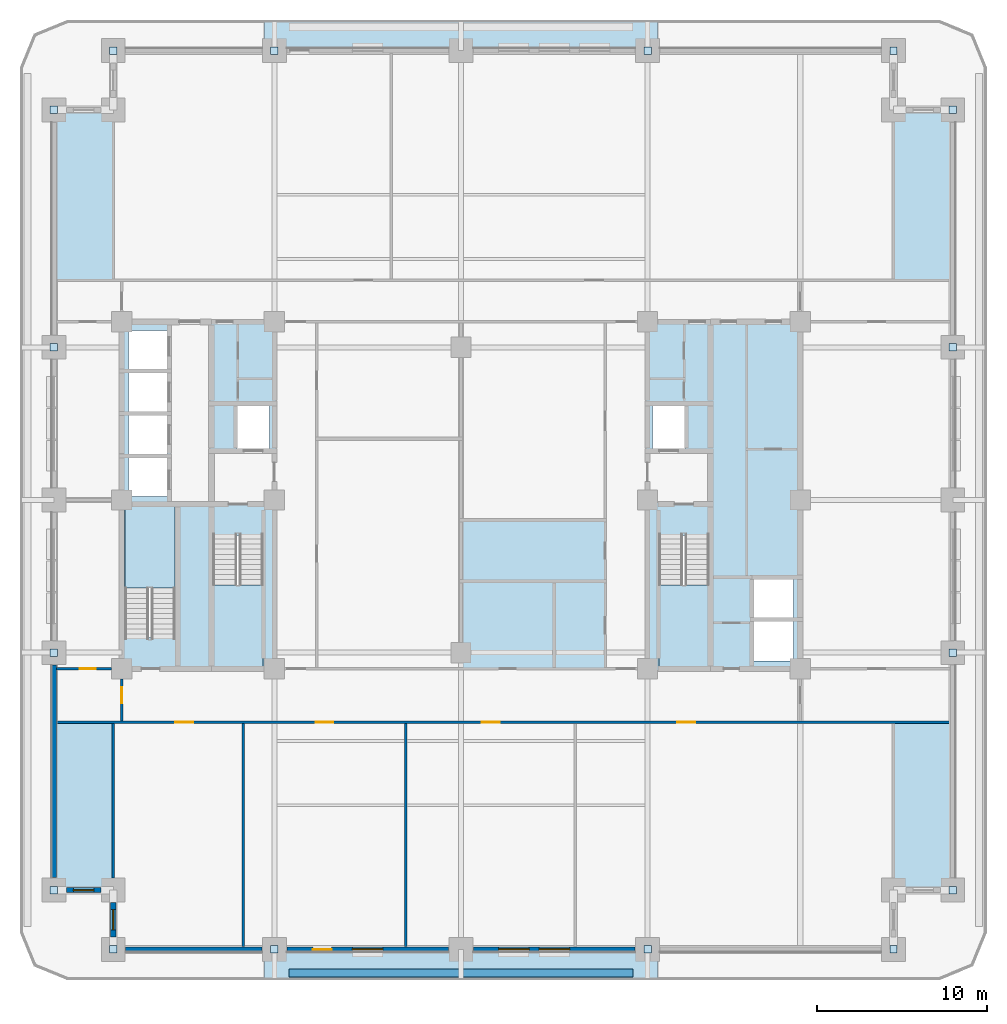
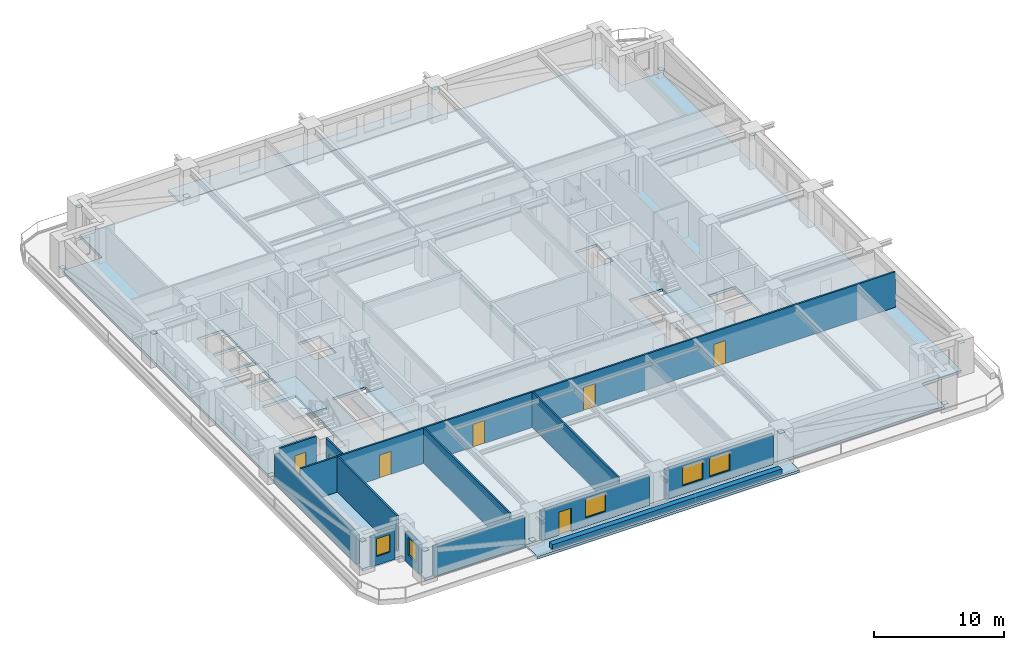
# One storey, part 2 of 14: 16 plates, 13 walls, 7 doors, 6 slabs, 5 windows, 12 openings, 3 elements without a shape of their own.
"""IFC4 building model written with IfcOpenShell, lengths in metres."""

from ifc_helpers import new_model, si_unit, direction, frame, frame_2d, origin, origin_2d, place, context, subcontext, project, spatial, polyline, rectangle, outline, extrude, material, layer, layer_set, type_object, element, fill, aggregate, save


model = new_model("IFC4")

# Units and contexts
model_context = context("Model", 3, precision=1e-05, world=origin(), true_north=direction((0.0, 1.0)))
body_context = subcontext(model_context, "Body", "Model", "MODEL_VIEW")
ifc_project = project(units=[si_unit("LENGTHUNIT", "METRE"), si_unit("AREAUNIT", "SQUARE_METRE"), si_unit("VOLUMEUNIT", "CUBIC_METRE"), si_unit("PLANEANGLEUNIT", "RADIAN"), si_unit("MASSUNIT", "GRAM", prefix="KILO")], contexts=[model_context])

# Site, building, storey
site_placement = place(None, origin())
site = spatial("IfcSite", under=ifc_project, at=site_placement, CompositionType="ELEMENT")
building_placement = place(site_placement, origin())
building = spatial("IfcBuilding", under=site, at=building_placement, Name="Zulmaris Gate Convention Tower", CompositionType="ELEMENT")
storey_placement = place(building_placement, frame((0.0, 0.0, 41.47998046875)))
storey = spatial("IfcBuildingStorey", under=building, at=storey_placement, Name="L09", CompositionType="ELEMENT", Elevation=41.47998046875)

# Plates
ifc_material_1 = material(Name="Steel S460", Category="steel")
ifc_layer_1 = layer(ifc_material_1, 0.02490234375, Name="Steel S460")
ifc_layer_set_1 = layer_set([ifc_layer_1], Name="Steel S460")
plate_type = type_object("IfcPlateType", Name="NP-CAP-440", PredefinedType="USERDEFINED", material=ifc_layer_set_1)
for number, where, z_axis, x_axis, name in (
    (1, (-24.0, -9.0, 0.28759765625), (0.0, 0.0, 1.0), (1.0, 0.0, 0.0), "L09 Steel Node Plate PBR-L09-SW-W-CAP"),
    (2, (-24.0, -23.0, 2.6875), (0.0, 0.0, 1.0), (1.0, 0.0, 0.0), "L09 Steel Node Plate PBR-L09-SW-W-CAPB"),
    (3, (-24.0, 23.0, 0.28759765625), (0.0, 0.0, 1.0), (1.0, 0.0, 0.0), "L09 Steel Node Plate PBR-L09-NW-W-CAP"),
    (4, (-24.0, 9.0, 2.6875), (0.0, 0.0, 1.0), (1.0, 0.0, 0.0), "L09 Steel Node Plate PBR-L09-NW-W-CAPB"),
    (5, (29.0, -9.0, 0.28759765625), (0.0, 0.0, 1.0), (1.0, 0.0, 0.0), "L09 Steel Node Plate PBR-L09-SE-E-CAP"),
    (6, (29.0, -23.0, 2.6875), (0.0, 0.0, 1.0), (1.0, 0.0, 0.0), "L09 Steel Node Plate PBR-L09-SE-E-CAPB"),
    (7, (29.0, 23.0, 0.28759765625), (0.0, 0.0, 1.0), (1.0, 0.0, 0.0), "L09 Steel Node Plate PBR-L09-NE-E-CAP"),
    (8, (29.0, 9.0, 2.6875), (0.0, 0.0, 1.0), (1.0, 0.0, 0.0), "L09 Steel Node Plate PBR-L09-NE-E-CAPB"),
    (9, (-11.0, -26.5, 0.28759765625), (0.0, 0.0, 1.0), (1.0, 0.0, 0.0), "L09 Steel Node Plate PBR-L09-SW-S-CAP"),
    (10, (-20.5, -26.5, 2.6875), (0.0, 0.0, 1.0), (1.0, 0.0, 0.0), "L09 Steel Node Plate PBR-L09-SW-S-CAPB"),
    (11, (25.5, -26.5, 0.28759765625), (0.0, 0.0, 1.0), (1.0, 0.0, 0.0), "L09 Steel Node Plate PBR-L09-SE-S-CAP"),
    (12, (11.0, -26.5, 2.6875), (0.0, 0.0, 1.0), (1.0, 0.0, 0.0), "L09 Steel Node Plate PBR-L09-SE-S-CAPB"),
    (13, (-11.0, 26.5, 0.28759765625), (0.0, 0.0, 1.0), (1.0, 0.0, 0.0), "L09 Steel Node Plate PBR-L09-NW-N-CAP"),
    (14, (-20.5, 26.5, 2.6875), (0.0, 0.0, 1.0), (1.0, 0.0, 0.0), "L09 Steel Node Plate PBR-L09-NW-N-CAPB"),
    (15, (25.5, 26.5, 0.28759765625), (0.0, 0.0, 1.0), (1.0, 0.0, 0.0), "L09 Steel Node Plate PBR-L09-NE-N-CAP"),
    (16, (11.0, 26.5, 2.6875), (0.0, 0.0, 1.0), (1.0, 0.0, 0.0), "L09 Steel Node Plate PBR-L09-NE-N-CAPB"),
):
    element("IfcPlate", number, at=place(storey_placement, frame(where, z_axis=z_axis, x_axis=x_axis)), inside=storey, type_object=plate_type, Name=name, ObjectType="FLANGE PLATE", PredefinedType="USERDEFINED", context=body_context, shape_type="SweptSolid", body=[
        extrude(rectangle(XDim=0.43994140625, YDim=0.43994140625, at=origin_2d()), origin(), (0.0, 0.0, 1.0), 0.02490234375),
    ])

# Slabs
ifc_material_2 = material(Name="Precast concrete C50/60", Category="concrete")
ifc_layer_2 = layer(ifc_material_2, 0.239990234375, Name="Precast concrete C50/60")
ifc_layer_set_2 = layer_set([ifc_layer_2], Name="Precast concrete C50/60")
slab_type_1 = type_object("IfcSlabType", Name="SL-BAL-240", PredefinedType="FLOOR", material=ifc_layer_set_2)
slab_1_placement = place(storey_placement, frame((0.0, 0.0, -0.25)))
element("IfcSlab", 17, at=slab_1_placement, inside=storey, type_object=slab_type_1, Name="L09 South Tree-Balcony Planter Slab", PredefinedType="FLOOR", context=body_context, shape_type="SweptSolid", body=[
    extrude(outline(polyline([(-11.597900390625, -28.300048828125), (-11.597900390625, -26.5), (11.597900390625, -26.5), (11.597900390625, -28.300048828125), (-11.597900390625, -28.300048828125)])), origin(), (0.0, 0.0, 1.0), 0.239990234375),
])
slab_2_placement = place(storey_placement, frame((0.0, 0.0, -0.25)))
element("IfcSlab", 18, at=slab_2_placement, inside=storey, type_object=slab_type_1, Name="L09 North Tree-Balcony Planter Slab", PredefinedType="FLOOR", context=body_context, shape_type="SweptSolid", body=[
    extrude(outline(polyline([(11.597900390625, 28.300048828125), (11.597900390625, 26.5), (-11.597900390625, 26.5), (-11.597900390625, 28.300048828125), (11.597900390625, 28.300048828125)])), origin(), (0.0, 0.0, 1.0), 0.239990234375),
])
ifc_material_3 = material(Name="Concrete C50/60", Category="concrete")
ifc_layer_3 = layer(ifc_material_3, 0.25, Name="Concrete C50/60")
ifc_layer_set_3 = layer_set([ifc_layer_3], Name="Concrete C50/60")
slab_type_2 = type_object("IfcSlabType", Name="SL-FLR-250", PredefinedType="FLOOR", material=ifc_layer_set_3)
slab_3_placement = place(storey_placement, frame((0.0, 0.0, -0.25)))
element("IfcSlab", 19, at=slab_3_placement, inside=storey, type_object=slab_type_2, Name="L09 Shifted Notched-Square Structural Floor Slab", PredefinedType="FLOOR", context=body_context, shape_type="SweptSolid", body=[
    extrude(outline(polyline([(-20.5, -26.5), (25.5, -26.5), (25.5, -23.0), (29.0, -23.0), (29.0, 23.0), (25.5, 23.0), (25.5, 26.5), (-20.5, 26.5), (-20.5, 23.0), (-24.0, 23.0), (-24.0, -23.0), (-20.5, -23.0), (-20.5, -26.5)]), holes=[polyline([(-14.6201171875, -2.080078125), (-14.6201171875, -9.85009765625), (-11.659912109375, -9.85009765625), (-11.659912109375, -2.080078125), (-14.6201171875, -2.080078125)]), polyline([(11.659912109375, -2.080078125), (11.659912109375, -9.85009765625), (14.6201171875, -9.85009765625), (14.6201171875, -2.080078125), (11.659912109375, -2.080078125)]), polyline([(-16.860107421875, -8.1201171875), (-16.860107421875, -0.35009765625), (-19.820068359375, -0.35009765625), (-19.820068359375, -8.1201171875), (-16.860107421875, -8.1201171875)]), polyline([(-13.199951171875, 3.0), (-11.300048828125, 3.0), (-11.300048828125, 5.60009765625), (-13.199951171875, 5.60009765625), (-13.199951171875, 3.0)]), polyline([(11.300048828125, 3.0), (13.199951171875, 3.0), (13.199951171875, 5.60009765625), (11.300048828125, 5.60009765625), (11.300048828125, 3.0)]), polyline([(-19.60009765625, 0.199951171875), (-17.300048828125, 0.199951171875), (-17.300048828125, 2.5), (-19.60009765625, 2.5), (-19.60009765625, 0.199951171875)]), polyline([(-19.60009765625, 2.699951171875), (-17.300048828125, 2.699951171875), (-17.300048828125, 5.0), (-19.60009765625, 5.0), (-19.60009765625, 2.699951171875)]), polyline([(-19.60009765625, 5.199951171875), (-17.300048828125, 5.199951171875), (-17.300048828125, 7.5), (-19.60009765625, 7.5), (-19.60009765625, 5.199951171875)]), polyline([(-19.60009765625, 7.699951171875), (-17.300048828125, 7.699951171875), (-17.300048828125, 10.0), (-19.60009765625, 10.0), (-19.60009765625, 7.699951171875)]), polyline([(17.199951171875, -9.5), (19.60009765625, -9.5), (19.60009765625, -7.10009765625), (17.199951171875, -7.10009765625), (17.199951171875, -9.5)]), polyline([(17.199951171875, -7.0), (19.60009765625, -7.0), (19.60009765625, -4.60009765625), (17.199951171875, -4.60009765625), (17.199951171875, -7.0)])]), origin(), (0.0, 0.0, 1.0), 0.25),
])

# Stair, slab
ifc_material_4 = material(Name="Concrete C45/55", Category="concrete")
stair_type = type_object("IfcStairType", Name="ST-CORE-DOGLEG", PredefinedType="HALF_TURN_STAIR", material=ifc_material_4)
stair_1_placement = place(storey_placement, origin())
stair_1 = element("IfcStair", 20, at=stair_1_placement, inside=storey, type_object=stair_type, Name="L09 Core Exit Stair ST-1", PredefinedType="HALF_TURN_STAIR")
ifc_layer_4 = layer(ifc_material_4, 0.199951171875, Name="Concrete C45/55")
ifc_layer_set_4 = layer_set([ifc_layer_4], Name="Concrete C45/55")
slab_type_3 = type_object("IfcSlabType", Name="SL-LND-200", PredefinedType="LANDING", material=ifc_layer_set_4)
slab_4_placement = place(storey_placement, frame((0.0, 0.0, 1.5849609375)))
slab_4 = element("IfcSlab", 21, at=slab_4_placement, type_object=slab_type_3, Name="ST-1 landing 1", PredefinedType="LANDING", context=body_context, shape_type="SweptSolid", body=[
    extrude(outline(polyline([(-14.6201171875, -5.0), (-14.6201171875, -9.85009765625), (-11.659912109375, -9.85009765625), (-11.659912109375, -5.0), (-14.6201171875, -5.0)])), origin(), (0.0, 0.0, 1.0), 0.199951171875),
])
aggregate(stair_1, [slab_4])

stair_2_placement = place(storey_placement, origin())
stair_2 = element("IfcStair", 22, at=stair_2_placement, inside=storey, type_object=stair_type, Name="L09 Core Exit Stair ST-2", PredefinedType="HALF_TURN_STAIR")
slab_5_placement = place(storey_placement, frame((0.0, 0.0, 1.5849609375)))
slab_5 = element("IfcSlab", 23, at=slab_5_placement, type_object=slab_type_3, Name="ST-2 landing 1", PredefinedType="LANDING", context=body_context, shape_type="SweptSolid", body=[
    extrude(outline(polyline([(11.659912109375, -5.0), (11.659912109375, -9.85009765625), (14.6201171875, -9.85009765625), (14.6201171875, -5.0), (11.659912109375, -5.0)])), origin(), (0.0, 0.0, 1.0), 0.199951171875),
])
aggregate(stair_2, [slab_5])

stair_3_placement = place(storey_placement, origin())
stair_3 = element("IfcStair", 24, at=stair_3_placement, inside=storey, type_object=stair_type, Name="L09 Core Exit Stair ST-3", PredefinedType="HALF_TURN_STAIR")
slab_6_placement = place(storey_placement, frame((0.0, 0.0, 1.5849609375)))
slab_6 = element("IfcSlab", 25, at=slab_6_placement, type_object=slab_type_3, Name="ST-3 landing 1", PredefinedType="LANDING", context=body_context, shape_type="SweptSolid", body=[
    extrude(outline(polyline([(-16.860107421875, -5.199951171875), (-16.860107421875, -0.35009765625), (-19.820068359375, -0.35009765625), (-19.820068359375, -5.199951171875), (-16.860107421875, -5.199951171875)])), origin(), (0.0, 0.0, 1.0), 0.199951171875),
])
aggregate(stair_3, [slab_6])

# Wall, openings, doors
ifc_material_5 = material(Name="Gypsum Metal Stud Partition")
ifc_layer_5 = layer(ifc_material_5, 0.14990234375, Name="Gypsum Metal Stud Partition")
ifc_layer_set_5 = layer_set([ifc_layer_5], Name="Gypsum Metal Stud Partition")
wall_type_1 = type_object("IfcWallType", Name="PART-150", PredefinedType="PARTITIONING", material=ifc_layer_set_5)
wall_1_placement = place(storey_placement, frame((-23.8349609375, -13.10009765625, 0.0), z_axis=(0.0, 0.0, 1.0), x_axis=(1.0, 0.0, 0.0)))
wall_1 = element("IfcWall", 26, at=wall_1_placement, inside=storey, type_object=wall_type_1, Name="WL-L09-020", PredefinedType="PARTITIONING", context=body_context, shape_type="SweptSolid", body=[
    extrude(rectangle(XDim=52.669921875, YDim=0.14990234375, at=frame_2d((26.3349609375, 0.0))), origin(), (0.0, 0.0, 1.0), 3.320068359375),
])
opening_1_placement = place(wall_1_placement, frame((6.989990234375, 0.0, 0.0)))
opening_1 = element("IfcOpeningElement", 27, at=opening_1_placement, cuts=wall_1, Name="Opening D-09", PredefinedType="OPENING", context=body_context, shape_type="SweptSolid", body=[
    extrude(rectangle(XDim=1.050048828125, YDim=2.14990234375, at=frame_2d((0.52490234375, 1.074951171875))), frame((0.0, 0.0849609375, 0.0), z_axis=(0.0, -1.0, 0.0), x_axis=(1.0, 0.0, 0.0)), (0.0, 0.0, 1.0), 0.169921875),
])
opening_2_placement = place(wall_1_placement, frame((15.260009765625, 0.0, 0.0)))
opening_2 = element("IfcOpeningElement", 28, at=opening_2_placement, cuts=wall_1, Name="Opening D-09", PredefinedType="OPENING", context=body_context, shape_type="SweptSolid", body=[
    extrude(rectangle(XDim=1.050048828125, YDim=2.14990234375, at=frame_2d((0.52490234375, 1.074951171875))), frame((0.0, 0.0849609375, 0.0), z_axis=(0.0, -1.0, 0.0), x_axis=(1.0, 0.0, 0.0)), (0.0, 0.0, 1.0), 0.169921875),
])
opening_3_placement = place(wall_1_placement, frame((25.06005859375, 0.0, 0.0)))
opening_3 = element("IfcOpeningElement", 29, at=opening_3_placement, cuts=wall_1, Name="Opening D-09", PredefinedType="OPENING", context=body_context, shape_type="SweptSolid", body=[
    extrude(rectangle(XDim=1.050048828125, YDim=2.14990234375, at=frame_2d((0.52490234375, 1.074951171875))), frame((0.0, 0.0849609375, 0.0), z_axis=(0.0, -1.0, 0.0), x_axis=(1.0, 0.0, 0.0)), (0.0, 0.0, 1.0), 0.169921875),
])
opening_4_placement = place(wall_1_placement, frame((36.590087890625, 0.0, 0.0)))
opening_4 = element("IfcOpeningElement", 30, at=opening_4_placement, cuts=wall_1, Name="Opening D-09", PredefinedType="OPENING", context=body_context, shape_type="SweptSolid", body=[
    extrude(rectangle(XDim=1.050048828125, YDim=2.14990234375, at=frame_2d((0.52490234375, 1.074951171875))), frame((0.0, 0.0849609375, 0.0), z_axis=(0.0, -1.0, 0.0), x_axis=(1.0, 0.0, 0.0)), (0.0, 0.0, 1.0), 0.169921875),
])
ifc_material_6 = material(Name="Fire-Rated Steel", Category="steel")
door_type_1 = type_object("IfcDoorType", Name="DR-1050-FD", OperationType="NOTDEFINED", PredefinedType="DOOR", material=ifc_material_6)
door_1_placement = place(opening_1_placement, origin())
door_1 = element("IfcDoor", 31, at=door_1_placement, inside=storey, type_object=door_type_1, Name="L09 Delegate Business Lounge Door 30", OperationType="SINGLE_SWING_LEFT", OverallHeight=2.14990234375, OverallWidth=1.050048828125, PredefinedType="DOOR", context=body_context, shape_type="SweptSolid", body=[
    extrude(rectangle(XDim=1.050048828125, YDim=2.14990234375, at=frame_2d((0.52490234375, 1.074951171875))), frame((0.0, 0.02490234375, 0.0), z_axis=(0.0, -1.0, 0.0), x_axis=(1.0, 0.0, 0.0)), (0.0, 0.0, 1.0), 0.050048828125),
])
fill(opening_1, door_1)
door_2_placement = place(opening_2_placement, origin())
door_2 = element("IfcDoor", 32, at=door_2_placement, inside=storey, type_object=door_type_1, Name="L09 Commercial Advisory Office Door 31", OperationType="SINGLE_SWING_RIGHT", OverallHeight=2.14990234375, OverallWidth=1.050048828125, PredefinedType="DOOR", context=body_context, shape_type="SweptSolid", body=[
    extrude(rectangle(XDim=1.050048828125, YDim=2.14990234375, at=frame_2d((0.52490234375, 1.074951171875))), frame((0.0, 0.02490234375, 0.0), z_axis=(0.0, -1.0, 0.0), x_axis=(1.0, 0.0, 0.0)), (0.0, 0.0, 1.0), 0.050048828125),
])
fill(opening_2, door_2)
door_3_placement = place(opening_3_placement, origin())
door_3 = element("IfcDoor", 33, at=door_3_placement, inside=storey, type_object=door_type_1, Name="L09 Regional Corporate Office Door 32", OperationType="SINGLE_SWING_LEFT", OverallHeight=2.14990234375, OverallWidth=1.050048828125, PredefinedType="DOOR", context=body_context, shape_type="SweptSolid", body=[
    extrude(rectangle(XDim=1.050048828125, YDim=2.14990234375, at=frame_2d((0.52490234375, 1.074951171875))), frame((0.0, 0.02490234375, 0.0), z_axis=(0.0, -1.0, 0.0), x_axis=(1.0, 0.0, 0.0)), (0.0, 0.0, 1.0), 0.050048828125),
])
fill(opening_3, door_3)
door_4_placement = place(opening_4_placement, origin())
door_4 = element("IfcDoor", 34, at=door_4_placement, inside=storey, type_object=door_type_1, Name="L09 Client Practice Studio Door 33", OperationType="SINGLE_SWING_RIGHT", OverallHeight=2.14990234375, OverallWidth=1.050048828125, PredefinedType="DOOR", context=body_context, shape_type="SweptSolid", body=[
    extrude(rectangle(XDim=1.050048828125, YDim=2.14990234375, at=frame_2d((0.52490234375, 1.074951171875))), frame((0.0, 0.02490234375, 0.0), z_axis=(0.0, -1.0, 0.0), x_axis=(1.0, 0.0, 0.0)), (0.0, 0.0, 1.0), 0.050048828125),
])
fill(opening_4, door_4)

# Wall, opening, door
wall_2_placement = place(storey_placement, frame((-23.8349609375, -9.949951171875, 0.0), z_axis=(0.0, 0.0, 1.0), x_axis=(1.0, 0.0, 0.0)))
wall_2 = element("IfcWall", 35, at=wall_2_placement, inside=storey, type_object=wall_type_1, Name="WL-L09-021", PredefinedType="PARTITIONING", context=body_context, shape_type="SweptSolid", body=[
    extrude(rectangle(XDim=3.22900390625, YDim=0.14990234375, at=frame_2d((1.614501953125, 0.0))), origin(), (0.0, 0.0, 1.0), 3.320068359375),
])
opening_5_placement = place(wall_2_placement, frame((1.360107421875, 0.0, 0.0)))
opening_5 = element("IfcOpeningElement", 36, at=opening_5_placement, cuts=wall_2, Name="Opening D-11", PredefinedType="OPENING", context=body_context, shape_type="SweptSolid", body=[
    extrude(rectangle(XDim=0.949951171875, YDim=2.14990234375, at=frame_2d((0.47509765625, 1.074951171875))), frame((0.0, 0.0849609375, 0.0), z_axis=(0.0, -1.0, 0.0), x_axis=(1.0, 0.0, 0.0)), (0.0, 0.0, 1.0), 0.169921875),
])
ifc_material_7 = material(Name="Fire-Rated Timber", Category="wood")
door_type_2 = type_object("IfcDoorType", Name="DR-950-FD", OperationType="NOTDEFINED", PredefinedType="DOOR", material=ifc_material_7)
door_5_placement = place(opening_5_placement, origin())
door_5 = element("IfcDoor", 37, at=door_5_placement, inside=storey, type_object=door_type_2, Name="L09 SW Partner Door 43", OperationType="SINGLE_SWING_RIGHT", OverallHeight=2.14990234375, OverallWidth=0.949951171875, PredefinedType="DOOR", context=body_context, shape_type="SweptSolid", body=[
    extrude(rectangle(XDim=0.949951171875, YDim=2.14990234375, at=frame_2d((0.47509765625, 1.074951171875))), frame((0.0, 0.02490234375, 0.0), z_axis=(0.0, -1.0, 0.0), x_axis=(1.0, 0.0, 0.0)), (0.0, 0.0, 1.0), 0.050048828125),
])
fill(opening_5, door_5)

# Wall
wall_3_placement = place(storey_placement, frame((-20.5, -22.2939453125, 0.0), z_axis=(0.0, 0.0, 1.0), x_axis=(0.0, 1.0, 0.0)))
element("IfcWall", 38, at=wall_3_placement, inside=storey, type_object=wall_type_1, Name="WL-L09-072", PredefinedType="PARTITIONING", context=body_context, shape_type="SweptSolid", body=[
    extrude(rectangle(XDim=9.115966796875, YDim=0.14990234375, at=frame_2d((4.55810546875, 0.0))), origin(), (0.0, 0.0, 1.0), 3.320068359375),
])

# Wall, opening, door
wall_4_placement = place(storey_placement, frame((-20.0, -13.02197265625, 0.0), z_axis=(0.0, 0.0, 1.0), x_axis=(0.0, 1.0, 0.0)))
wall_4 = element("IfcWall", 39, at=wall_4_placement, inside=storey, type_object=wall_type_1, Name="WL-L09-074", PredefinedType="PARTITIONING", context=body_context, shape_type="SweptSolid", body=[
    extrude(rectangle(XDim=2.466064453125, YDim=0.14990234375, at=frame_2d((1.23291015625, 0.0))), origin(), (0.0, 0.0, 1.0), 3.320068359375),
])
opening_6_placement = place(wall_4_placement, frame((1.027099609375, 0.0, 0.0)))
opening_6 = element("IfcOpeningElement", 40, at=opening_6_placement, cuts=wall_4, Name="Opening D-11", PredefinedType="OPENING", context=body_context, shape_type="SweptSolid", body=[
    extrude(rectangle(XDim=0.949951171875, YDim=2.14990234375, at=frame_2d((0.47509765625, 1.074951171875))), frame((0.0, 0.0849609375, 0.0), z_axis=(0.0, -1.0, 0.0), x_axis=(1.0, 0.0, 0.0)), (0.0, 0.0, 1.0), 0.169921875),
])
door_6_placement = place(opening_6_placement, origin())
door_6 = element("IfcDoor", 41, at=door_6_placement, inside=storey, type_object=door_type_2, Name="L09 SW Spur Door 41", OperationType="SINGLE_SWING_RIGHT", OverallHeight=2.14990234375, OverallWidth=0.949951171875, PredefinedType="DOOR", context=body_context, shape_type="SweptSolid", body=[
    extrude(rectangle(XDim=0.949951171875, YDim=2.14990234375, at=frame_2d((0.47509765625, 1.074951171875))), frame((0.0, 0.02490234375, 0.0), z_axis=(0.0, -1.0, 0.0), x_axis=(1.0, 0.0, 0.0)), (0.0, 0.0, 1.0), 0.050048828125),
])
fill(opening_6, door_6)

# Walls
for number, where, z_axis, x_axis, name in (
    (42, (-12.85009765625, -26.3349609375, 0.0), (0.0, 0.0, 1.0), (0.0, 1.0, 0.0), "WL-L09-078"),
    (43, (-3.25, -26.3349609375, 0.0), (0.0, 0.0, 1.0), (0.0, 1.0, 0.0), "WL-L09-082"),
):
    element("IfcWall", number, at=place(storey_placement, frame(where, z_axis=z_axis, x_axis=x_axis)), inside=storey, type_object=wall_type_1, Name=name, PredefinedType="PARTITIONING", context=body_context, shape_type="SweptSolid", body=[
        extrude(rectangle(XDim=13.156982421875, YDim=0.14990234375, at=frame_2d((6.57861328125, 0.0))), origin(), (0.0, 0.0, 1.0), 3.320068359375),
    ])
ifc_material_8 = material(Name="Botanical Green Glazed Precast Concrete C40/50", Category="concrete")
ifc_layer_6 = layer(ifc_material_8, 0.419921875, Name="Botanical Green Glazed Precast Concrete C40/50")
ifc_layer_set_6 = layer_set([ifc_layer_6], Name="Botanical Green Glazed Precast Concrete C40/50")
wall_type_2 = type_object("IfcWallType", Name="PLANTER-CURB-200", PredefinedType="PARAPET", material=ifc_layer_set_6)
wall_5_placement = place(storey_placement, frame((-10.14990234375, -27.8798828125, -0.0400390625), z_axis=(0.0, 0.0, 1.0), x_axis=(1.0, 0.0, 0.0)))
element("IfcWall", 44, at=wall_5_placement, inside=storey, type_object=wall_type_2, Name="L09 Full-Length Balcony Tree Planter Trough", PredefinedType="PARAPET", context=body_context, shape_type="SweptSolid", body=[
    extrude(rectangle(XDim=20.2998046875, YDim=0.47998046875, at=frame_2d((10.14990234375, 0.0))), origin(), (0.0, 0.0, 1.0), 0.52001953125),
])

# Wall, opening, window
ifc_material_9 = material(Name="Precast concrete C40/50", Category="concrete")
ifc_layer_7 = layer(ifc_material_9, 0.300048828125, Name="Precast concrete C40/50")
ifc_layer_set_7 = layer_set([ifc_layer_7], Name="Precast concrete C40/50")
wall_type_3 = type_object("IfcWallType", Name="PRECAST-PIER-300", PredefinedType="STANDARD", material=ifc_layer_set_7)
wall_6_placement = place(storey_placement, frame((-23.27001953125, -23.0, 0.0), z_axis=(0.0, 0.0, 1.0), x_axis=(1.0, 0.0, 0.0)))
wall_6 = element("IfcWall", 45, at=wall_6_placement, inside=storey, type_object=wall_type_3, Name="EW-L09-NOTCH-SW1_0", PredefinedType="STANDARD", context=body_context, shape_type="SweptSolid", body=[
    extrude(rectangle(XDim=2.0400390625, YDim=0.300048828125, at=frame_2d((1.02001953125, 0.0))), origin(), (0.0, 0.0, 1.0), 2.7119140625),
])
opening_7_placement = place(wall_6_placement, frame((0.419921875, 0.0, 0.820068359375)))
opening_7 = element("IfcOpeningElement", 46, at=opening_7_placement, cuts=wall_6, Name="Opening W-04", PredefinedType="OPENING", context=body_context, shape_type="SweptSolid", body=[
    extrude(rectangle(XDim=1.199951171875, YDim=1.64990234375, at=frame_2d((0.60009765625, 0.824951171875))), frame((0.0, 0.16015625, 0.0), z_axis=(0.0, -1.0, 0.0), x_axis=(1.0, 0.0, 0.0)), (0.0, 0.0, 1.0), 0.320068359375),
])
ifc_material_10 = material(Name="Low-E Laminated Double Glazing in Aluminium Frame", Category="aluminium")
window_type_1 = type_object("IfcWindowType", Name="WIN-1200x2100", PartitioningType="SINGLE_PANEL", PredefinedType="WINDOW", material=ifc_material_10)
window_1_placement = place(opening_7_placement, origin())
window_1 = element("IfcWindow", 47, at=window_1_placement, inside=storey, type_object=window_type_1, Name="WN-EW-L09-NOTCH-SW1_0", OverallHeight=1.64990234375, OverallWidth=1.199951171875, PartitioningType="SINGLE_PANEL", PredefinedType="WINDOW", context=body_context, shape_type="SweptSolid", body=[
    extrude(rectangle(XDim=1.199951171875, YDim=1.64990234375, at=frame_2d((0.60009765625, 0.824951171875))), frame((0.0, 0.030029296875, 0.0), z_axis=(0.0, -1.0, 0.0), x_axis=(1.0, 0.0, 0.0)), (0.0, 0.0, 1.0), 0.06005859375),
])
fill(opening_7, window_1)

wall_7_placement = place(storey_placement, frame((-20.5, -23.72998046875, 0.0), z_axis=(0.0, 0.0, 1.0), x_axis=(0.0, -1.0, 0.0)))
wall_7 = element("IfcWall", 48, at=wall_7_placement, inside=storey, type_object=wall_type_3, Name="EW-L09-NOTCH-SW2_0", PredefinedType="STANDARD", context=body_context, shape_type="SweptSolid", body=[
    extrude(rectangle(XDim=2.0400390625, YDim=0.300048828125, at=frame_2d((1.02001953125, 0.0))), origin(), (0.0, 0.0, 1.0), 2.7119140625),
])
opening_8_placement = place(wall_7_placement, frame((0.419921875, 0.0, 0.820068359375)))
opening_8 = element("IfcOpeningElement", 49, at=opening_8_placement, cuts=wall_7, Name="Opening W-04", PredefinedType="OPENING", context=body_context, shape_type="SweptSolid", body=[
    extrude(rectangle(XDim=1.199951171875, YDim=1.64990234375, at=frame_2d((0.60009765625, 0.824951171875))), frame((0.0, 0.16015625, 0.0), z_axis=(0.0, -1.0, 0.0), x_axis=(1.0, 0.0, 0.0)), (0.0, 0.0, 1.0), 0.320068359375),
])
window_2_placement = place(opening_8_placement, origin())
window_2 = element("IfcWindow", 50, at=window_2_placement, inside=storey, type_object=window_type_1, Name="WN-EW-L09-NOTCH-SW2_0", OverallHeight=1.64990234375, OverallWidth=1.199951171875, PartitioningType="SINGLE_PANEL", PredefinedType="WINDOW", context=body_context, shape_type="SweptSolid", body=[
    extrude(rectangle(XDim=1.199951171875, YDim=1.64990234375, at=frame_2d((0.60009765625, 0.824951171875))), frame((0.0, 0.030029296875, 0.0), z_axis=(0.0, -1.0, 0.0), x_axis=(1.0, 0.0, 0.0)), (0.0, 0.0, 1.0), 0.06005859375),
])
fill(opening_8, window_2)

# Wall
wall_8_placement = place(storey_placement, frame((-19.77001953125, -26.5, 0.0), z_axis=(0.0, 0.0, 1.0), x_axis=(1.0, 0.0, 0.0)))
element("IfcWall", 51, at=wall_8_placement, inside=storey, type_object=wall_type_3, Name="EW-L09-S-0_0", PredefinedType="STANDARD", context=body_context, shape_type="SweptSolid", body=[
    extrude(rectangle(XDim=8.0400390625, YDim=0.300048828125, at=frame_2d((4.02001953125, 0.0))), origin(), (0.0, 0.0, 1.0), 2.7119140625),
])

# Wall, openings, door, window
wall_9_placement = place(storey_placement, frame((-10.27001953125, -26.5, 0.0), z_axis=(0.0, 0.0, 1.0), x_axis=(1.0, 0.0, 0.0)))
wall_9 = element("IfcWall", 52, at=wall_9_placement, inside=storey, type_object=wall_type_3, Name="EW-L09-S-1_0", PredefinedType="STANDARD", context=body_context, shape_type="SweptSolid", body=[
    extrude(rectangle(XDim=9.5400390625, YDim=0.300048828125, at=frame_2d((4.77001953125, 0.0))), origin(), (0.0, 0.0, 1.0), 2.7119140625),
])
opening_9_placement = place(wall_9_placement, frame((1.5400390625, 0.0, 0.0)))
opening_9 = element("IfcOpeningElement", 53, at=opening_9_placement, cuts=wall_9, Name="Opening D-04", PredefinedType="OPENING", context=body_context, shape_type="SweptSolid", body=[
    extrude(rectangle(XDim=1.10009765625, YDim=2.14990234375, at=frame_2d((0.550048828125, 1.074951171875))), frame((0.0, 0.16015625, 0.0), z_axis=(0.0, -1.0, 0.0), x_axis=(1.0, 0.0, 0.0)), (0.0, 0.0, 1.0), 0.320068359375),
])
opening_10_placement = place(wall_9_placement, frame((3.8701171875, 0.0, 0.780029296875)))
opening_10 = element("IfcOpeningElement", 54, at=opening_10_placement, cuts=wall_9, Name="Opening W-02", PredefinedType="OPENING", context=body_context, shape_type="SweptSolid", body=[
    extrude(rectangle(XDim=1.800048828125, YDim=1.719970703125, at=frame_2d((0.89990234375, 0.85986328125))), frame((0.0, 0.16015625, 0.0), z_axis=(0.0, -1.0, 0.0), x_axis=(1.0, 0.0, 0.0)), (0.0, 0.0, 1.0), 0.320068359375),
])
ifc_material_11 = material(Name="Anodised Aluminium and Laminated Glass", Category="aluminium")
door_type_3 = type_object("IfcDoorType", Name="ED-1100", OperationType="SINGLE_SWING_RIGHT", PredefinedType="DOOR", material=ifc_material_11)
door_7_placement = place(opening_9_placement, origin())
door_7 = element("IfcDoor", 55, at=door_7_placement, inside=storey, type_object=door_type_3, Name="L09 S Planted Terrace Door", OperationType="SINGLE_SWING_RIGHT", OverallHeight=2.14990234375, OverallWidth=1.10009765625, PredefinedType="DOOR", context=body_context, shape_type="SweptSolid", body=[
    extrude(rectangle(XDim=1.10009765625, YDim=2.14990234375, at=frame_2d((0.550048828125, 1.074951171875))), frame((0.0, 0.02490234375, 0.0), z_axis=(0.0, -1.0, 0.0), x_axis=(1.0, 0.0, 0.0)), (0.0, 0.0, 1.0), 0.050048828125),
])
fill(opening_9, door_7)
window_type_2 = type_object("IfcWindowType", Name="WIN-1800x2200", PartitioningType="SINGLE_PANEL", PredefinedType="WINDOW", material=ifc_material_10)
window_3_placement = place(opening_10_placement, origin())
window_3 = element("IfcWindow", 56, at=window_3_placement, inside=storey, type_object=window_type_2, Name="WN-EW-L09-S-1_0-2", OverallHeight=1.719970703125, OverallWidth=1.800048828125, PartitioningType="SINGLE_PANEL", PredefinedType="WINDOW", context=body_context, shape_type="SweptSolid", body=[
    extrude(rectangle(XDim=1.800048828125, YDim=1.719970703125, at=frame_2d((0.89990234375, 0.85986328125))), frame((0.0, 0.030029296875, 0.0), z_axis=(0.0, -1.0, 0.0), x_axis=(1.0, 0.0, 0.0)), (0.0, 0.0, 1.0), 0.06005859375),
])
fill(opening_10, window_3)

# Wall, openings, windows
wall_10_placement = place(storey_placement, frame((0.72998046875, -26.5, 0.0), z_axis=(0.0, 0.0, 1.0), x_axis=(1.0, 0.0, 0.0)))
wall_10 = element("IfcWall", 57, at=wall_10_placement, inside=storey, type_object=wall_type_3, Name="EW-L09-S-2_0", PredefinedType="STANDARD", context=body_context, shape_type="SweptSolid", body=[
    extrude(rectangle(XDim=9.5400390625, YDim=0.300048828125, at=frame_2d((4.77001953125, 0.0))), origin(), (0.0, 0.0, 1.0), 2.7119140625),
])
opening_11_placement = place(wall_10_placement, frame((1.485107421875, 0.0, 0.780029296875)))
opening_11 = element("IfcOpeningElement", 58, at=opening_11_placement, cuts=wall_10, Name="Opening W-02", PredefinedType="OPENING", context=body_context, shape_type="SweptSolid", body=[
    extrude(rectangle(XDim=1.800048828125, YDim=1.719970703125, at=frame_2d((0.89990234375, 0.85986328125))), frame((0.0, 0.16015625, 0.0), z_axis=(0.0, -1.0, 0.0), x_axis=(1.0, 0.0, 0.0)), (0.0, 0.0, 1.0), 0.320068359375),
])
opening_12_placement = place(wall_10_placement, frame((3.8701171875, 0.0, 0.780029296875)))
opening_12 = element("IfcOpeningElement", 59, at=opening_12_placement, cuts=wall_10, Name="Opening W-02", PredefinedType="OPENING", context=body_context, shape_type="SweptSolid", body=[
    extrude(rectangle(XDim=1.800048828125, YDim=1.719970703125, at=frame_2d((0.89990234375, 0.85986328125))), frame((0.0, 0.16015625, 0.0), z_axis=(0.0, -1.0, 0.0), x_axis=(1.0, 0.0, 0.0)), (0.0, 0.0, 1.0), 0.320068359375),
])
window_4_placement = place(opening_11_placement, origin())
window_4 = element("IfcWindow", 60, at=window_4_placement, inside=storey, type_object=window_type_2, Name="WN-EW-L09-S-2_0-1", OverallHeight=1.719970703125, OverallWidth=1.800048828125, PartitioningType="SINGLE_PANEL", PredefinedType="WINDOW", context=body_context, shape_type="SweptSolid", body=[
    extrude(rectangle(XDim=1.800048828125, YDim=1.719970703125, at=frame_2d((0.89990234375, 0.85986328125))), frame((0.0, 0.030029296875, 0.0), z_axis=(0.0, -1.0, 0.0), x_axis=(1.0, 0.0, 0.0)), (0.0, 0.0, 1.0), 0.06005859375),
])
fill(opening_11, window_4)
window_5_placement = place(opening_12_placement, origin())
window_5 = element("IfcWindow", 61, at=window_5_placement, inside=storey, type_object=window_type_2, Name="WN-EW-L09-S-2_0-2", OverallHeight=1.719970703125, OverallWidth=1.800048828125, PartitioningType="SINGLE_PANEL", PredefinedType="WINDOW", context=body_context, shape_type="SweptSolid", body=[
    extrude(rectangle(XDim=1.800048828125, YDim=1.719970703125, at=frame_2d((0.89990234375, 0.85986328125))), frame((0.0, 0.030029296875, 0.0), z_axis=(0.0, -1.0, 0.0), x_axis=(1.0, 0.0, 0.0)), (0.0, 0.0, 1.0), 0.06005859375),
])
fill(opening_12, window_5)

# Wall
wall_11_placement = place(storey_placement, frame((-24.0, -9.72998046875, 0.0), z_axis=(0.0, 0.0, 1.0), x_axis=(0.0, -1.0, 0.0)))
element("IfcWall", 62, at=wall_11_placement, inside=storey, type_object=wall_type_3, Name="EW-L09-W-0_0", PredefinedType="STANDARD", context=body_context, shape_type="SweptSolid", body=[
    extrude(rectangle(XDim=12.5400390625, YDim=0.300048828125, at=frame_2d((6.27001953125, 0.0))), origin(), (0.0, 0.0, 1.0), 2.7119140625),
])

save(model, "model.ifc")
